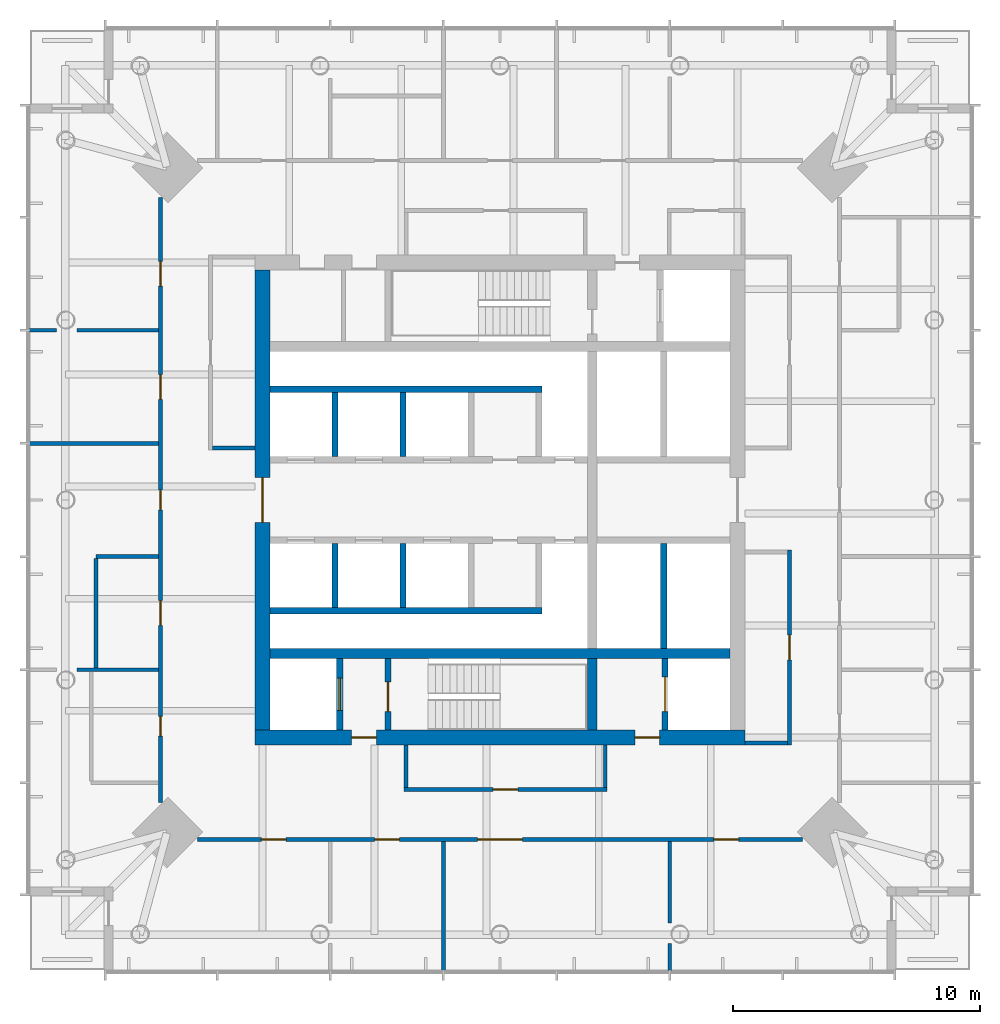
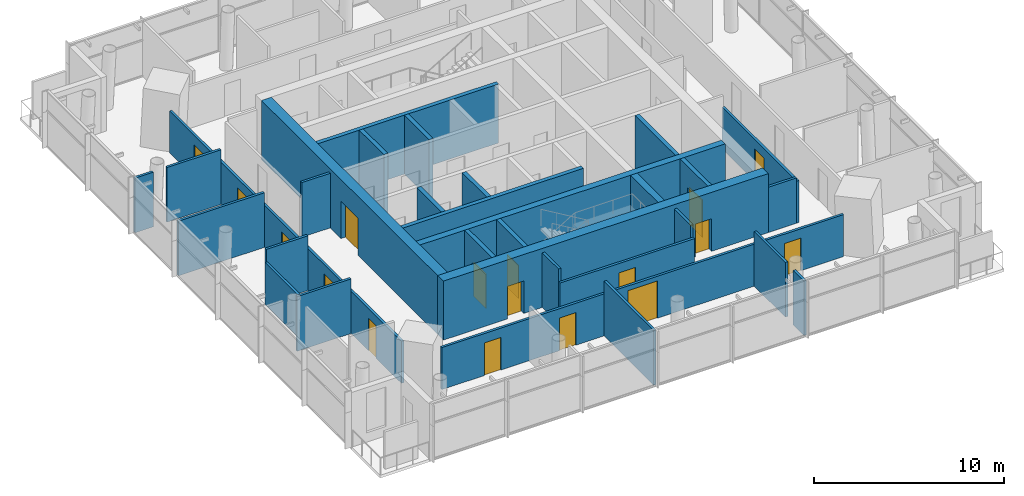
# One storey, part 6 of 10: 31 walls, 17 doors, 17 openings.
"""IFC4 building model written with IfcOpenShell, lengths in metres."""

from ifc_helpers import new_model, si_unit, direction, frame, frame_2d, origin, place, context, subcontext, project, spatial, rectangle, extrude, material, layer, layer_set, type_object, element, fill, save


model = new_model("IFC4")

# Units and contexts
model_context = context("Model", 3, precision=1e-05, world=origin(), true_north=direction((0.0, 1.0)))
body_context = subcontext(model_context, "Body", "Model", "MODEL_VIEW")
ifc_project = project(units=[si_unit("LENGTHUNIT", "METRE"), si_unit("AREAUNIT", "SQUARE_METRE"), si_unit("VOLUMEUNIT", "CUBIC_METRE"), si_unit("PLANEANGLEUNIT", "RADIAN"), si_unit("MASSUNIT", "GRAM", prefix="KILO")], contexts=[model_context])

# Site, building, storey
site_placement = place(None, origin())
site = spatial("IfcSite", under=ifc_project, at=site_placement, CompositionType="ELEMENT")
building_placement = place(site_placement, origin())
building = spatial("IfcBuilding", under=site, at=building_placement, Name="Ostroluk Exchange", CompositionType="ELEMENT")
storey_placement = place(building_placement, frame((0.0, 0.0, 222.39990234375)))
storey = spatial("IfcBuildingStorey", under=building, at=storey_placement, Name="L57", CompositionType="ELEMENT", Elevation=222.39990234375)

# Walls
ifc_material_1 = material(Name="Concrete C50/60", Category="concrete")
ifc_layer_1 = layer(ifc_material_1, 0.39990234375)
ifc_layer_set_1 = layer_set([ifc_layer_1], Name="Core cross wall 400 C50/60")
wall_type_1 = type_object("IfcWallType", Name="Core cross wall 400 C50/60", PredefinedType="SHEAR", material=ifc_layer_set_1)
wall_1_placement = place(storey_placement, frame((35.699951171875, 39.800048828125, 0.0), z_axis=(0.0, 0.0, 1.0), x_axis=(1.0, 0.0, 0.0)))
element("IfcWall", 1, at=wall_1_placement, inside=storey, type_object=wall_type_1, Name="T1 core wall XS", PredefinedType="SHEAR", context=body_context, shape_type="SweptSolid", body=[
    extrude(rectangle(XDim=18.60009765625, YDim=0.39990234375, at=frame_2d((9.300048828125, 0.0))), origin(), (0.0, 0.0, 1.0), 3.800048828125),
])
wall_2_placement = place(storey_placement, frame((48.72998046875, 36.699951171875, 0.0), z_axis=(0.0, 0.0, 1.0), x_axis=(0.0, 1.0, 0.0)))
element("IfcWall", 2, at=wall_2_placement, inside=storey, type_object=wall_type_1, Name="T1 core wall YE1", PredefinedType="SHEAR", context=body_context, shape_type="SweptSolid", body=[
    extrude(rectangle(XDim=2.900146484375, YDim=0.39990234375, at=frame_2d((1.4501953125, 0.0))), origin(), (0.0, 0.0, 1.0), 3.800048828125),
])

# Wall, opening, door
ifc_material_2 = material(Name="Concrete C40/50", Category="concrete")
ifc_layer_2 = layer(ifc_material_2, 0.25)
ifc_layer_set_2 = layer_set([ifc_layer_2], Name="Core shaft wall 250")
wall_type_2 = type_object("IfcWallType", Name="Core shaft wall 250", PredefinedType="SHEAR", material=ifc_layer_set_2)
wall_3_placement = place(storey_placement, frame((38.52490234375, 36.699951171875, 0.0), z_axis=(0.0, 0.0, 1.0), x_axis=(0.0, 1.0, 0.0)))
wall_3 = element("IfcWall", 3, at=wall_3_placement, inside=storey, type_object=wall_type_2, Name="Firefighting lift shaft wall", PredefinedType="SHEAR", context=body_context, shape_type="SweptSolid", body=[
    extrude(rectangle(XDim=2.900146484375, YDim=0.25, at=frame_2d((1.4501953125, 0.0))), origin(), (0.0, 0.0, 1.0), 3.800048828125),
])
opening_1_placement = place(wall_3_placement, frame((0.800048828125, 0.0, 0.0)))
opening_1 = element("IfcOpeningElement", 4, at=opening_1_placement, cuts=wall_3, Name="Opening LD2", PredefinedType="OPENING", context=body_context, shape_type="SweptSolid", body=[
    extrude(rectangle(XDim=1.300048828125, YDim=2.199951171875, at=frame_2d((0.64990234375, 1.10009765625))), frame((0.0, 0.135009765625, 0.0), z_axis=(0.0, -1.0, 0.0), x_axis=(1.0, 0.0, 0.0)), (0.0, 0.0, 1.0), 0.27001953125),
])
ifc_material_3 = material(Name="Stainless steel", Category="steel")
door_type_1 = type_object("IfcDoorType", Name="Lift landing door E 60 1300 x 2200", OperationType="DOUBLE_DOOR_SLIDING", PredefinedType="DOOR", material=ifc_material_3)
door_1_placement = place(opening_1_placement, origin())
door_1 = element("IfcDoor", 5, at=door_1_placement, inside=storey, type_object=door_type_1, Name="Lift FL1 landing door", OperationType="DOUBLE_DOOR_SLIDING", OverallHeight=2.199951171875, OverallWidth=1.300048828125, PredefinedType="DOOR", context=body_context, shape_type="SweptSolid", body=[
    extrude(rectangle(XDim=1.300048828125, YDim=2.199951171875, at=frame_2d((0.64990234375, 1.10009765625))), frame((0.0, 0.02490234375, 0.0), z_axis=(0.0, -1.0, 0.0), x_axis=(1.0, 0.0, 0.0)), (0.0, 0.0, 1.0), 0.050048828125),
])
fill(opening_1, door_1)

wall_4_placement = place(storey_placement, frame((40.47509765625, 36.699951171875, 0.0), z_axis=(0.0, 0.0, 1.0), x_axis=(0.0, 1.0, 0.0)))
wall_4 = element("IfcWall", 6, at=wall_4_placement, inside=storey, type_object=wall_type_2, Name="Stair shaft wall", PredefinedType="SHEAR", context=body_context, shape_type="SweptSolid", body=[
    extrude(rectangle(XDim=2.900146484375, YDim=0.25, at=frame_2d((1.4501953125, 0.0))), origin(), (0.0, 0.0, 1.0), 3.800048828125),
])
opening_2_placement = place(wall_4_placement, frame((0.75, 0.0, 0.0)))
opening_2 = element("IfcOpeningElement", 7, at=opening_2_placement, cuts=wall_4, Name="Opening FD60S", PredefinedType="OPENING", context=body_context, shape_type="SweptSolid", body=[
    extrude(rectangle(XDim=1.199951171875, YDim=2.10009765625, at=frame_2d((0.60009765625, 1.050048828125))), frame((0.0, 0.135009765625, 0.0), z_axis=(0.0, -1.0, 0.0), x_axis=(1.0, 0.0, 0.0)), (0.0, 0.0, 1.0), 0.27001953125),
])
ifc_material_4 = material(Name="Steel", Category="steel")
door_type_2 = type_object("IfcDoorType", Name="Stair door EI 60 1200 x 2100", OperationType="SINGLE_SWING_LEFT", PredefinedType="DOOR", material=ifc_material_4)
door_2_placement = place(opening_2_placement, origin())
door_2 = element("IfcDoor", 8, at=door_2_placement, inside=storey, type_object=door_type_2, Name="Stair T1-S1 door", OperationType="SINGLE_SWING_LEFT", OverallHeight=2.10009765625, OverallWidth=1.199951171875, PredefinedType="DOOR", context=body_context, shape_type="SweptSolid", body=[
    extrude(rectangle(XDim=1.199951171875, YDim=2.10009765625, at=frame_2d((0.60009765625, 1.050048828125))), frame((0.0, 0.02490234375, 0.0), z_axis=(0.0, -1.0, 0.0), x_axis=(1.0, 0.0, 0.0)), (0.0, 0.0, 1.0), 0.050048828125),
])
fill(opening_2, door_2)

wall_5_placement = place(storey_placement, frame((51.675048828125, 36.699951171875, 0.0), z_axis=(0.0, 0.0, 1.0), x_axis=(0.0, 1.0, 0.0)))
wall_5 = element("IfcWall", 9, at=wall_5_placement, inside=storey, type_object=wall_type_2, Name="Service lift shaft wall", PredefinedType="SHEAR", context=body_context, shape_type="SweptSolid", body=[
    extrude(rectangle(XDim=2.900146484375, YDim=0.25, at=frame_2d((1.4501953125, 0.0))), origin(), (0.0, 0.0, 1.0), 3.800048828125),
])
opening_3_placement = place(wall_5_placement, frame((0.75, 0.0, 0.0)))
opening_3 = element("IfcOpeningElement", 10, at=opening_3_placement, cuts=wall_5, Name="Opening LD3", PredefinedType="OPENING", context=body_context, shape_type="SweptSolid", body=[
    extrude(rectangle(XDim=1.39990234375, YDim=2.39990234375, at=frame_2d((0.699951171875, 1.199951171875))), frame((0.0, 0.135009765625, 0.0), z_axis=(0.0, -1.0, 0.0), x_axis=(1.0, 0.0, 0.0)), (0.0, 0.0, 1.0), 0.27001953125),
])
ifc_material_5 = material(Name="Stainless steel", Category="steel")
door_type_3 = type_object("IfcDoorType", Name="Goods lift landing door E 60 1400 x 2400", OperationType="DOUBLE_DOOR_SLIDING", PredefinedType="DOOR", material=ifc_material_5)
door_3_placement = place(opening_3_placement, origin())
door_3 = element("IfcDoor", 11, at=door_3_placement, inside=storey, type_object=door_type_3, Name="Lift SL1 landing door", OperationType="DOUBLE_DOOR_SLIDING", OverallHeight=2.39990234375, OverallWidth=1.39990234375, PredefinedType="DOOR", context=body_context, shape_type="SweptSolid", body=[
    extrude(rectangle(XDim=1.39990234375, YDim=2.39990234375, at=frame_2d((0.699951171875, 1.199951171875))), frame((0.0, 0.02490234375, 0.0), z_axis=(0.0, -1.0, 0.0), x_axis=(1.0, 0.0, 0.0)), (0.0, 0.0, 1.0), 0.050048828125),
])
fill(opening_3, door_3)

# Walls
for number, where, z_axis, x_axis, name in (
    (12, (38.324951171875, 47.75, 0.0), (0.0, 0.0, 1.0), (0.0, 1.0, 0.0), "Lift shaft wall"),
    (13, (41.074951171875, 47.75, 0.0), (0.0, 0.0, 1.0), (0.0, 1.0, 0.0), "Lift shaft wall"),
):
    element("IfcWall", number, at=place(storey_placement, frame(where, z_axis=z_axis, x_axis=x_axis)), inside=storey, type_object=wall_type_2, Name=name, PredefinedType="SHEAR", context=body_context, shape_type="SweptSolid", body=[
        extrude(rectangle(XDim=2.60009765625, YDim=0.25, at=frame_2d((1.300048828125, 0.0))), origin(), (0.0, 0.0, 1.0), 3.800048828125),
    ])
wall_6_placement = place(storey_placement, frame((35.699951171875, 50.47509765625, 0.0), z_axis=(0.0, 0.0, 1.0), x_axis=(1.0, 0.0, 0.0)))
element("IfcWall", 14, at=wall_6_placement, inside=storey, type_object=wall_type_2, Name="Lift shaft wall", PredefinedType="SHEAR", context=body_context, shape_type="SweptSolid", body=[
    extrude(rectangle(XDim=11.0, YDim=0.25, at=frame_2d((5.5, 0.0))), origin(), (0.0, 0.0, 1.0), 3.800048828125),
])
for number, where, z_axis, x_axis, name in (
    (15, (38.324951171875, 44.25, 0.0), (0.0, 0.0, 1.0), (0.0, -1.0, 0.0), "Lift shaft wall"),
    (16, (41.074951171875, 44.25, 0.0), (0.0, 0.0, 1.0), (0.0, -1.0, 0.0), "Lift shaft wall"),
):
    element("IfcWall", number, at=place(storey_placement, frame(where, z_axis=z_axis, x_axis=x_axis)), inside=storey, type_object=wall_type_2, Name=name, PredefinedType="SHEAR", context=body_context, shape_type="SweptSolid", body=[
        extrude(rectangle(XDim=2.60009765625, YDim=0.25, at=frame_2d((1.300048828125, 0.0))), origin(), (0.0, 0.0, 1.0), 3.800048828125),
    ])
wall_7_placement = place(storey_placement, frame((35.699951171875, 41.52490234375, 0.0), z_axis=(0.0, 0.0, 1.0), x_axis=(1.0, 0.0, 0.0)))
element("IfcWall", 17, at=wall_7_placement, inside=storey, type_object=wall_type_2, Name="Lift shaft wall", PredefinedType="SHEAR", context=body_context, shape_type="SweptSolid", body=[
    extrude(rectangle(XDim=11.0, YDim=0.25, at=frame_2d((5.5, 0.0))), origin(), (0.0, 0.0, 1.0), 3.800048828125),
])
wall_8_placement = place(storey_placement, frame((51.614990234375, 44.25, 0.0), z_axis=(0.0, 0.0, 1.0), x_axis=(0.0, -1.0, 0.0)))
element("IfcWall", 18, at=wall_8_placement, inside=storey, type_object=wall_type_2, Name="Lift shaft wall", PredefinedType="SHEAR", context=body_context, shape_type="SweptSolid", body=[
    extrude(rectangle(XDim=4.25, YDim=0.25, at=frame_2d((2.125, 0.0))), origin(), (0.0, 0.0, 1.0), 3.800048828125),
])

# Wall, openings, doors
ifc_material_6 = material(Name="Concrete C50/60", Category="concrete")
ifc_layer_3 = layer(ifc_material_6, 0.60009765625)
ifc_layer_set_3 = layer_set([ifc_layer_3], Name="Core wall 600 C50/60")
wall_type_3 = type_object("IfcWallType", Name="Core wall 600 C50/60", PredefinedType="SHEAR", material=ifc_layer_set_3)
wall_9_placement = place(storey_placement, frame((35.10009765625, 36.39990234375, 0.0), z_axis=(0.0, 0.0, 1.0), x_axis=(1.0, 0.0, 0.0)))
wall_9 = element("IfcWall", 19, at=wall_9_placement, inside=storey, type_object=wall_type_3, Name="T1 core wall S", PredefinedType="SHEAR", context=body_context, shape_type="SweptSolid", body=[
    extrude(rectangle(XDim=19.7998046875, YDim=0.60009765625, at=frame_2d((9.89990234375, 0.0))), origin(), (0.0, 0.0, 1.0), 3.800048828125),
])
opening_4_placement = place(wall_9_placement, frame((3.89990234375, 0.0, 0.0)))
opening_4 = element("IfcOpeningElement", 20, at=opening_4_placement, cuts=wall_9, Name="Opening FD60", PredefinedType="OPENING", context=body_context, shape_type="SweptSolid", body=[
    extrude(rectangle(XDim=1.0, YDim=2.10009765625, at=frame_2d((0.5, 1.050048828125))), frame((0.0, 0.31005859375, 0.0), z_axis=(0.0, -1.0, 0.0), x_axis=(1.0, 0.0, 0.0)), (0.0, 0.0, 1.0), 0.6201171875),
])
opening_5_placement = place(wall_9_placement, frame((15.35009765625, 0.0, 0.0)))
opening_5 = element("IfcOpeningElement", 21, at=opening_5_placement, cuts=wall_9, Name="Opening FD60", PredefinedType="OPENING", context=body_context, shape_type="SweptSolid", body=[
    extrude(rectangle(XDim=1.0, YDim=2.10009765625, at=frame_2d((0.5, 1.050048828125))), frame((0.0, 0.31005859375, 0.0), z_axis=(0.0, -1.0, 0.0), x_axis=(1.0, 0.0, 0.0)), (0.0, 0.0, 1.0), 0.6201171875),
])
ifc_material_7 = material(Name="Steel", Category="steel")
door_type_4 = type_object("IfcDoorType", Name="Fire door EI 60 1000 x 2100", OperationType="SINGLE_SWING_LEFT", PredefinedType="DOOR", material=ifc_material_7)
door_4_placement = place(opening_4_placement, origin())
door_4 = element("IfcDoor", 22, at=door_4_placement, inside=storey, type_object=door_type_4, Name="Firefighting lobby door", OperationType="SINGLE_SWING_LEFT", OverallHeight=2.10009765625, OverallWidth=1.0, PredefinedType="DOOR", context=body_context, shape_type="SweptSolid", body=[
    extrude(rectangle(XDim=1.0, YDim=2.10009765625, at=frame_2d((0.5, 1.050048828125))), frame((0.0, 0.02490234375, 0.0), z_axis=(0.0, -1.0, 0.0), x_axis=(1.0, 0.0, 0.0)), (0.0, 0.0, 1.0), 0.050048828125),
])
fill(opening_4, door_4)
door_5_placement = place(opening_5_placement, origin())
door_5 = element("IfcDoor", 23, at=door_5_placement, inside=storey, type_object=door_type_4, Name="Service lobby door", OperationType="SINGLE_SWING_RIGHT", OverallHeight=2.10009765625, OverallWidth=1.0, PredefinedType="DOOR", context=body_context, shape_type="SweptSolid", body=[
    extrude(rectangle(XDim=1.0, YDim=2.10009765625, at=frame_2d((0.5, 1.050048828125))), frame((0.0, 0.02490234375, 0.0), z_axis=(0.0, -1.0, 0.0), x_axis=(1.0, 0.0, 0.0)), (0.0, 0.0, 1.0), 0.050048828125),
])
fill(opening_5, door_5)

# Wall, opening, door
wall_10_placement = place(storey_placement, frame((35.39990234375, 36.699951171875, 0.0), z_axis=(0.0, 0.0, 1.0), x_axis=(0.0, 1.0, 0.0)))
wall_10 = element("IfcWall", 24, at=wall_10_placement, inside=storey, type_object=wall_type_3, Name="T1 core wall W", PredefinedType="SHEAR", context=body_context, shape_type="SweptSolid", body=[
    extrude(rectangle(XDim=18.60009765625, YDim=0.60009765625, at=frame_2d((9.300048828125, 0.0))), origin(), (0.0, 0.0, 1.0), 3.800048828125),
])
opening_6_placement = place(wall_10_placement, frame((8.39990234375, 0.0, 0.0)))
opening_6 = element("IfcOpeningElement", 25, at=opening_6_placement, cuts=wall_10, Name="Opening FD30D", PredefinedType="OPENING", context=body_context, shape_type="SweptSolid", body=[
    extrude(rectangle(XDim=1.800048828125, YDim=2.39990234375, at=frame_2d((0.89990234375, 1.199951171875))), frame((0.0, 0.31005859375, 0.0), z_axis=(0.0, -1.0, 0.0), x_axis=(1.0, 0.0, 0.0)), (0.0, 0.0, 1.0), 0.6201171875),
])
ifc_material_8 = material(Name="Timber", Category="wood")
door_type_5 = type_object("IfcDoorType", Name="Lobby double door EI 30 1800 x 2400", OperationType="DOUBLE_DOOR_SINGLE_SWING", PredefinedType="DOOR", material=ifc_material_8)
door_6_placement = place(opening_6_placement, origin())
door_6 = element("IfcDoor", 26, at=door_6_placement, inside=storey, type_object=door_type_5, Name="Lift lobby doors", OperationType="DOUBLE_DOOR_SINGLE_SWING", OverallHeight=2.39990234375, OverallWidth=1.800048828125, PredefinedType="DOOR", context=body_context, shape_type="SweptSolid", body=[
    extrude(rectangle(XDim=1.800048828125, YDim=2.39990234375, at=frame_2d((0.89990234375, 1.199951171875))), frame((0.0, 0.02490234375, 0.0), z_axis=(0.0, -1.0, 0.0), x_axis=(1.0, 0.0, 0.0)), (0.0, 0.0, 1.0), 0.050048828125),
])
fill(opening_6, door_6)

ifc_material_9 = material(Name="Gypsum plasterboard partition", Category="gypsum")
ifc_layer_4 = layer(ifc_material_9, 0.14990234375)
ifc_layer_set_4 = layer_set([ifc_layer_4], Name="Plasterboard partition 150")
wall_type_4 = type_object("IfcWallType", Name="Plasterboard partition 150", PredefinedType="PARTITIONING", material=ifc_layer_set_4)
wall_11_placement = place(storey_placement, frame((56.699951171875, 36.10009765625, 0.0), z_axis=(0.0, 0.0, 1.0), x_axis=(0.0, 1.0, 0.0)))
wall_11 = element("IfcWall", 27, at=wall_11_placement, inside=storey, type_object=wall_type_4, Name="Partition", PredefinedType="PARTITIONING", context=body_context, shape_type="SweptSolid", body=[
    extrude(rectangle(XDim=7.875, YDim=0.14990234375, at=frame_2d((3.9375, 0.0))), origin(), (0.0, 0.0, 1.0), 2.7060546875),
])
opening_7_placement = place(wall_11_placement, frame((3.4375, 0.0, 0.0)))
opening_7 = element("IfcOpeningElement", 28, at=opening_7_placement, cuts=wall_11, Name="Opening D-03", PredefinedType="OPENING", context=body_context, shape_type="SweptSolid", body=[
    extrude(rectangle(XDim=1.0, YDim=2.10009765625, at=frame_2d((0.5, 1.050048828125))), frame((0.0, 0.0849609375, 0.0), z_axis=(0.0, -1.0, 0.0), x_axis=(1.0, 0.0, 0.0)), (0.0, 0.0, 1.0), 0.169921875),
])
ifc_material_10 = material(Name="Timber", Category="wood")
door_type_6 = type_object("IfcDoorType", Name="Internal door 1000 x 2100", OperationType="SINGLE_SWING_LEFT", PredefinedType="DOOR", material=ifc_material_10)
door_7_placement = place(opening_7_placement, origin())
door_7 = element("IfcDoor", 29, at=door_7_placement, inside=storey, type_object=door_type_6, Name="Quiet room door", OperationType="SINGLE_SWING_LEFT", OverallHeight=2.10009765625, OverallWidth=1.0, PredefinedType="DOOR", context=body_context, shape_type="SweptSolid", body=[
    extrude(rectangle(XDim=1.0, YDim=2.10009765625, at=frame_2d((0.5, 1.050048828125))), frame((0.0, 0.02490234375, 0.0), z_axis=(0.0, -1.0, 0.0), x_axis=(1.0, 0.0, 0.0)), (0.0, 0.0, 1.0), 0.050048828125),
])
fill(opening_7, door_7)

# Walls
wall_12_placement = place(storey_placement, frame((54.89990234375, 36.175048828125, 0.0), z_axis=(0.0, 0.0, 1.0), x_axis=(1.0, 0.0, 0.0)))
element("IfcWall", 30, at=wall_12_placement, inside=storey, type_object=wall_type_4, Name="Partition", PredefinedType="PARTITIONING", context=body_context, shape_type="SweptSolid", body=[
    extrude(rectangle(XDim=1.72509765625, YDim=0.14990234375, at=frame_2d((0.862548828125, 0.0))), origin(), (0.0, 0.0, 1.0), 2.920166015625),
])
wall_13_placement = place(storey_placement, frame((35.10009765625, 48.10009765625, 0.0), z_axis=(0.0, 0.0, 1.0), x_axis=(-1.0, 0.0, 0.0)))
element("IfcWall", 31, at=wall_13_placement, inside=storey, type_object=wall_type_4, Name="Partition", PredefinedType="PARTITIONING", context=body_context, shape_type="SweptSolid", body=[
    extrude(rectangle(XDim=1.72509765625, YDim=0.14990234375, at=frame_2d((0.862548828125, 0.0))), origin(), (0.0, 0.0, 1.0), 3.52001953125),
])

# Wall, opening, door
wall_14_placement = place(storey_placement, frame((41.125, 34.300048828125, 0.0), z_axis=(0.0, 0.0, 1.0), x_axis=(1.0, 0.0, 0.0)))
wall_14 = element("IfcWall", 32, at=wall_14_placement, inside=storey, type_object=wall_type_4, Name="Partition", PredefinedType="PARTITIONING", context=body_context, shape_type="SweptSolid", body=[
    extrude(rectangle(XDim=8.199951171875, YDim=0.14990234375, at=frame_2d((4.10009765625, 0.0))), origin(), (0.0, 0.0, 1.0), 2.7060546875),
])
opening_8_placement = place(wall_14_placement, frame((3.60009765625, 0.0, 0.0)))
opening_8 = element("IfcOpeningElement", 33, at=opening_8_placement, cuts=wall_14, Name="Opening D-03", PredefinedType="OPENING", context=body_context, shape_type="SweptSolid", body=[
    extrude(rectangle(XDim=1.0, YDim=2.10009765625, at=frame_2d((0.5, 1.050048828125))), frame((0.0, 0.0849609375, 0.0), z_axis=(0.0, -1.0, 0.0), x_axis=(1.0, 0.0, 0.0)), (0.0, 0.0, 1.0), 0.169921875),
])
door_8_placement = place(opening_8_placement, origin())
door_8 = element("IfcDoor", 34, at=door_8_placement, inside=storey, type_object=door_type_6, Name="Quiet room door", OperationType="SINGLE_SWING_LEFT", OverallHeight=2.10009765625, OverallWidth=1.0, PredefinedType="DOOR", context=body_context, shape_type="SweptSolid", body=[
    extrude(rectangle(XDim=1.0, YDim=2.10009765625, at=frame_2d((0.5, 1.050048828125))), frame((0.0, 0.02490234375, 0.0), z_axis=(0.0, -1.0, 0.0), x_axis=(1.0, 0.0, 0.0)), (0.0, 0.0, 1.0), 0.050048828125),
])
fill(opening_8, door_8)

# Walls
for number, where, z_axis, x_axis, name in (
    (35, (41.199951171875, 36.10009765625, 0.0), (0.0, 0.0, 1.0), (0.0, -1.0, 0.0), "Partition"),
    (36, (49.25, 36.10009765625, 0.0), (0.0, 0.0, 1.0), (0.0, -1.0, 0.0), "Partition"),
):
    element("IfcWall", number, at=place(storey_placement, frame(where, z_axis=z_axis, x_axis=x_axis)), inside=storey, type_object=wall_type_4, Name=name, PredefinedType="PARTITIONING", context=body_context, shape_type="SweptSolid", body=[
        extrude(rectangle(XDim=1.72509765625, YDim=0.14990234375, at=frame_2d((0.862548828125, 0.0))), origin(), (0.0, 0.0, 1.0), 3.52001953125),
    ])

# Wall, openings, doors
wall_15_placement = place(storey_placement, frame((31.27490234375, 58.23583984375, 0.0), z_axis=(0.0, 0.0, 1.0), x_axis=(0.0, -1.0, 0.0)))
wall_15 = element("IfcWall", 37, at=wall_15_placement, inside=storey, type_object=wall_type_4, Name="Partition", PredefinedType="PARTITIONING", context=body_context, shape_type="SweptSolid", body=[
    extrude(rectangle(XDim=24.4716796875, YDim=0.14990234375, at=frame_2d((12.23583984375, 0.0))), origin(), (0.0, 0.0, 1.0), 2.7060546875),
])
opening_9_placement = place(wall_15_placement, frame((2.593017578125, 0.0, 0.0)))
opening_9 = element("IfcOpeningElement", 38, at=opening_9_placement, cuts=wall_15, Name="Opening D-03", PredefinedType="OPENING", context=body_context, shape_type="SweptSolid", body=[
    extrude(rectangle(XDim=1.0, YDim=2.10009765625, at=frame_2d((0.5, 1.050048828125))), frame((0.0, 0.0849609375, 0.0), z_axis=(0.0, -1.0, 0.0), x_axis=(1.0, 0.0, 0.0)), (0.0, 0.0, 1.0), 0.169921875),
])
opening_10_placement = place(wall_15_placement, frame((7.164306640625, 0.0, 0.0)))
opening_10 = element("IfcOpeningElement", 39, at=opening_10_placement, cuts=wall_15, Name="Opening D-03", PredefinedType="OPENING", context=body_context, shape_type="SweptSolid", body=[
    extrude(rectangle(XDim=1.0, YDim=2.10009765625, at=frame_2d((0.5, 1.050048828125))), frame((0.0, 0.0849609375, 0.0), z_axis=(0.0, -1.0, 0.0), x_axis=(1.0, 0.0, 0.0)), (0.0, 0.0, 1.0), 0.169921875),
])
opening_11_placement = place(wall_15_placement, frame((11.835693359375, 0.0, 0.0)))
opening_11 = element("IfcOpeningElement", 40, at=opening_11_placement, cuts=wall_15, Name="Opening D-06", PredefinedType="OPENING", context=body_context, shape_type="SweptSolid", body=[
    extrude(rectangle(XDim=0.800048828125, YDim=2.10009765625, at=frame_2d((0.39990234375, 1.050048828125))), frame((0.0, 0.0849609375, 0.0), z_axis=(0.0, -1.0, 0.0), x_axis=(1.0, 0.0, 0.0)), (0.0, 0.0, 1.0), 0.169921875),
])
opening_12_placement = place(wall_15_placement, frame((16.30712890625, 0.0, 0.0)))
opening_12 = element("IfcOpeningElement", 41, at=opening_12_placement, cuts=wall_15, Name="Opening D-03", PredefinedType="OPENING", context=body_context, shape_type="SweptSolid", body=[
    extrude(rectangle(XDim=1.0, YDim=2.10009765625, at=frame_2d((0.5, 1.050048828125))), frame((0.0, 0.0849609375, 0.0), z_axis=(0.0, -1.0, 0.0), x_axis=(1.0, 0.0, 0.0)), (0.0, 0.0, 1.0), 0.169921875),
])
opening_13_placement = place(wall_15_placement, frame((20.978759765625, 0.0, 0.0)))
opening_13 = element("IfcOpeningElement", 42, at=opening_13_placement, cuts=wall_15, Name="Opening D-06", PredefinedType="OPENING", context=body_context, shape_type="SweptSolid", body=[
    extrude(rectangle(XDim=0.800048828125, YDim=2.10009765625, at=frame_2d((0.39990234375, 1.050048828125))), frame((0.0, 0.0849609375, 0.0), z_axis=(0.0, -1.0, 0.0), x_axis=(1.0, 0.0, 0.0)), (0.0, 0.0, 1.0), 0.169921875),
])
door_9_placement = place(opening_9_placement, origin())
door_9 = element("IfcDoor", 43, at=door_9_placement, inside=storey, type_object=door_type_6, Name="Office suite door", OperationType="SINGLE_SWING_LEFT", OverallHeight=2.10009765625, OverallWidth=1.0, PredefinedType="DOOR", context=body_context, shape_type="SweptSolid", body=[
    extrude(rectangle(XDim=1.0, YDim=2.10009765625, at=frame_2d((0.5, 1.050048828125))), frame((0.0, 0.02490234375, 0.0), z_axis=(0.0, -1.0, 0.0), x_axis=(1.0, 0.0, 0.0)), (0.0, 0.0, 1.0), 0.050048828125),
])
fill(opening_9, door_9)
door_10_placement = place(opening_10_placement, origin())
door_10 = element("IfcDoor", 44, at=door_10_placement, inside=storey, type_object=door_type_6, Name="Meeting room door", OperationType="SINGLE_SWING_LEFT", OverallHeight=2.10009765625, OverallWidth=1.0, PredefinedType="DOOR", context=body_context, shape_type="SweptSolid", body=[
    extrude(rectangle(XDim=1.0, YDim=2.10009765625, at=frame_2d((0.5, 1.050048828125))), frame((0.0, 0.02490234375, 0.0), z_axis=(0.0, -1.0, 0.0), x_axis=(1.0, 0.0, 0.0)), (0.0, 0.0, 1.0), 0.050048828125),
])
fill(opening_10, door_10)
door_11_placement = place(opening_12_placement, origin())
door_11 = element("IfcDoor", 45, at=door_11_placement, inside=storey, type_object=door_type_6, Name="Accessible WC door", OperationType="SINGLE_SWING_RIGHT", OverallHeight=2.10009765625, OverallWidth=1.0, PredefinedType="DOOR", context=body_context, shape_type="SweptSolid", body=[
    extrude(rectangle(XDim=1.0, YDim=2.10009765625, at=frame_2d((0.5, 1.050048828125))), frame((0.0, 0.02490234375, 0.0), z_axis=(0.0, -1.0, 0.0), x_axis=(1.0, 0.0, 0.0)), (0.0, 0.0, 1.0), 0.050048828125),
])
fill(opening_12, door_11)
ifc_material_11 = material(Name="Timber", Category="wood")
door_type_7 = type_object("IfcDoorType", Name="Toilet door 800 x 2100", OperationType="SINGLE_SWING_LEFT", PredefinedType="DOOR", material=ifc_material_11)
door_12_placement = place(opening_11_placement, origin())
door_12 = element("IfcDoor", 46, at=door_12_placement, inside=storey, type_object=door_type_7, Name="WC female door", OperationType="SINGLE_SWING_LEFT", OverallHeight=2.10009765625, OverallWidth=0.800048828125, PredefinedType="DOOR", context=body_context, shape_type="SweptSolid", body=[
    extrude(rectangle(XDim=0.800048828125, YDim=2.10009765625, at=frame_2d((0.39990234375, 1.050048828125))), frame((0.0, 0.02490234375, 0.0), z_axis=(0.0, -1.0, 0.0), x_axis=(1.0, 0.0, 0.0)), (0.0, 0.0, 1.0), 0.050048828125),
])
fill(opening_11, door_12)
door_13_placement = place(opening_13_placement, origin())
door_13 = element("IfcDoor", 47, at=door_13_placement, inside=storey, type_object=door_type_7, Name="WC male door", OperationType="SINGLE_SWING_RIGHT", OverallHeight=2.10009765625, OverallWidth=0.800048828125, PredefinedType="DOOR", context=body_context, shape_type="SweptSolid", body=[
    extrude(rectangle(XDim=0.800048828125, YDim=2.10009765625, at=frame_2d((0.39990234375, 1.050048828125))), frame((0.0, 0.02490234375, 0.0), z_axis=(0.0, -1.0, 0.0), x_axis=(1.0, 0.0, 0.0)), (0.0, 0.0, 1.0), 0.050048828125),
])
fill(opening_13, door_13)

# Walls
wall_16_placement = place(storey_placement, frame((31.199951171875, 52.857177734375, 0.0), z_axis=(0.0, 0.0, 1.0), x_axis=(-1.0, 0.0, 0.0)))
element("IfcWall", 48, at=wall_16_placement, inside=storey, type_object=wall_type_4, Name="Partition", PredefinedType="PARTITIONING", context=body_context, shape_type="SweptSolid", body=[
    extrude(rectangle(XDim=3.287353515625, YDim=0.14990234375, at=frame_2d((1.6435546875, 0.0))), origin(), (0.0, 0.0, 1.0), 3.52001953125),
])
wall_17_placement = place(storey_placement, frame((27.080322265625, 52.857177734375, 0.0), z_axis=(0.0, 0.0, 1.0), x_axis=(-1.0, 0.0, 0.0)))
element("IfcWall", 49, at=wall_17_placement, inside=storey, type_object=wall_type_4, Name="Partition", PredefinedType="PARTITIONING", context=body_context, shape_type="SweptSolid", body=[
    extrude(rectangle(XDim=1.120361328125, YDim=0.14990234375, at=frame_2d((0.56005859375, 0.0))), origin(), (0.0, 0.0, 1.0), 3.52001953125),
])
wall_18_placement = place(storey_placement, frame((31.199951171875, 48.28564453125, 0.0), z_axis=(0.0, 0.0, 1.0), x_axis=(-1.0, 0.0, 0.0)))
element("IfcWall", 50, at=wall_18_placement, inside=storey, type_object=wall_type_4, Name="Partition", PredefinedType="PARTITIONING", context=body_context, shape_type="SweptSolid", body=[
    extrude(rectangle(XDim=5.239990234375, YDim=0.14990234375, at=frame_2d((2.6201171875, 0.0))), origin(), (0.0, 0.0, 1.0), 3.52001953125),
])
wall_19_placement = place(storey_placement, frame((31.199951171875, 43.71435546875, 0.0), z_axis=(0.0, 0.0, 1.0), x_axis=(-1.0, 0.0, 0.0)))
element("IfcWall", 51, at=wall_19_placement, inside=storey, type_object=wall_type_4, Name="Partition", PredefinedType="PARTITIONING", context=body_context, shape_type="SweptSolid", body=[
    extrude(rectangle(XDim=2.52490234375, YDim=0.14990234375, at=frame_2d((1.262451171875, 0.0))), origin(), (0.0, 0.0, 1.0), 3.52001953125),
])
wall_20_placement = place(storey_placement, frame((31.199951171875, 39.142822265625, 0.0), z_axis=(0.0, 0.0, 1.0), x_axis=(-1.0, 0.0, 0.0)))
element("IfcWall", 52, at=wall_20_placement, inside=storey, type_object=wall_type_4, Name="Partition", PredefinedType="PARTITIONING", context=body_context, shape_type="SweptSolid", body=[
    extrude(rectangle(XDim=3.287353515625, YDim=0.14990234375, at=frame_2d((1.6435546875, 0.0))), origin(), (0.0, 0.0, 1.0), 3.52001953125),
])

# Wall, openings, doors
wall_21_placement = place(storey_placement, frame((32.76416015625, 32.27490234375, 0.0), z_axis=(0.0, 0.0, 1.0), x_axis=(1.0, 0.0, 0.0)))
wall_21 = element("IfcWall", 53, at=wall_21_placement, inside=storey, type_object=wall_type_4, Name="Partition", PredefinedType="PARTITIONING", context=body_context, shape_type="SweptSolid", body=[
    extrude(rectangle(XDim=24.4716796875, YDim=0.14990234375, at=frame_2d((12.23583984375, 0.0))), origin(), (0.0, 0.0, 1.0), 2.7060546875),
])
opening_14_placement = place(wall_21_placement, frame((2.593017578125, 0.0, 0.0)))
opening_14 = element("IfcOpeningElement", 54, at=opening_14_placement, cuts=wall_21, Name="Opening D-03", PredefinedType="OPENING", context=body_context, shape_type="SweptSolid", body=[
    extrude(rectangle(XDim=1.0, YDim=2.10009765625, at=frame_2d((0.5, 1.050048828125))), frame((0.0, 0.0849609375, 0.0), z_axis=(0.0, -1.0, 0.0), x_axis=(1.0, 0.0, 0.0)), (0.0, 0.0, 1.0), 0.169921875),
])
opening_15_placement = place(wall_21_placement, frame((7.164306640625, 0.0, 0.0)))
opening_15 = element("IfcOpeningElement", 55, at=opening_15_placement, cuts=wall_21, Name="Opening D-03", PredefinedType="OPENING", context=body_context, shape_type="SweptSolid", body=[
    extrude(rectangle(XDim=1.0, YDim=2.10009765625, at=frame_2d((0.5, 1.050048828125))), frame((0.0, 0.0849609375, 0.0), z_axis=(0.0, -1.0, 0.0), x_axis=(1.0, 0.0, 0.0)), (0.0, 0.0, 1.0), 0.169921875),
])
opening_16_placement = place(wall_21_placement, frame((11.335693359375, 0.0, 0.0)))
opening_16 = element("IfcOpeningElement", 56, at=opening_16_placement, cuts=wall_21, Name="Opening D-04", PredefinedType="OPENING", context=body_context, shape_type="SweptSolid", body=[
    extrude(rectangle(XDim=1.800048828125, YDim=2.39990234375, at=frame_2d((0.89990234375, 1.199951171875))), frame((0.0, 0.0849609375, 0.0), z_axis=(0.0, -1.0, 0.0), x_axis=(1.0, 0.0, 0.0)), (0.0, 0.0, 1.0), 0.169921875),
])
opening_17_placement = place(wall_21_placement, frame((20.878662109375, 0.0, 0.0)))
opening_17 = element("IfcOpeningElement", 57, at=opening_17_placement, cuts=wall_21, Name="Opening D-03", PredefinedType="OPENING", context=body_context, shape_type="SweptSolid", body=[
    extrude(rectangle(XDim=1.0, YDim=2.10009765625, at=frame_2d((0.5, 1.050048828125))), frame((0.0, 0.0849609375, 0.0), z_axis=(0.0, -1.0, 0.0), x_axis=(1.0, 0.0, 0.0)), (0.0, 0.0, 1.0), 0.169921875),
])
ifc_material_12 = material(Name="Timber", Category="wood")
door_type_8 = type_object("IfcDoorType", Name="Double door 1800 x 2400", OperationType="DOUBLE_DOOR_SINGLE_SWING", PredefinedType="DOOR", material=ifc_material_12)
door_14_placement = place(opening_16_placement, origin())
door_14 = element("IfcDoor", 58, at=door_14_placement, inside=storey, type_object=door_type_8, Name="Boardroom door", OperationType="DOUBLE_DOOR_SINGLE_SWING", OverallHeight=2.39990234375, OverallWidth=1.800048828125, PredefinedType="DOOR", context=body_context, shape_type="SweptSolid", body=[
    extrude(rectangle(XDim=1.800048828125, YDim=2.39990234375, at=frame_2d((0.89990234375, 1.199951171875))), frame((0.0, 0.02490234375, 0.0), z_axis=(0.0, -1.0, 0.0), x_axis=(1.0, 0.0, 0.0)), (0.0, 0.0, 1.0), 0.050048828125),
])
fill(opening_16, door_14)
door_15_placement = place(opening_14_placement, origin())
door_15 = element("IfcDoor", 59, at=door_15_placement, inside=storey, type_object=door_type_6, Name="Office suite door", OperationType="SINGLE_SWING_LEFT", OverallHeight=2.10009765625, OverallWidth=1.0, PredefinedType="DOOR", context=body_context, shape_type="SweptSolid", body=[
    extrude(rectangle(XDim=1.0, YDim=2.10009765625, at=frame_2d((0.5, 1.050048828125))), frame((0.0, 0.02490234375, 0.0), z_axis=(0.0, -1.0, 0.0), x_axis=(1.0, 0.0, 0.0)), (0.0, 0.0, 1.0), 0.050048828125),
])
fill(opening_14, door_15)
door_16_placement = place(opening_15_placement, origin())
door_16 = element("IfcDoor", 60, at=door_16_placement, inside=storey, type_object=door_type_6, Name="Office door", OperationType="SINGLE_SWING_LEFT", OverallHeight=2.10009765625, OverallWidth=1.0, PredefinedType="DOOR", context=body_context, shape_type="SweptSolid", body=[
    extrude(rectangle(XDim=1.0, YDim=2.10009765625, at=frame_2d((0.5, 1.050048828125))), frame((0.0, 0.02490234375, 0.0), z_axis=(0.0, -1.0, 0.0), x_axis=(1.0, 0.0, 0.0)), (0.0, 0.0, 1.0), 0.050048828125),
])
fill(opening_15, door_16)
door_17_placement = place(opening_17_placement, origin())
door_17 = element("IfcDoor", 61, at=door_17_placement, inside=storey, type_object=door_type_6, Name="Office door", OperationType="SINGLE_SWING_RIGHT", OverallHeight=2.10009765625, OverallWidth=1.0, PredefinedType="DOOR", context=body_context, shape_type="SweptSolid", body=[
    extrude(rectangle(XDim=1.0, YDim=2.10009765625, at=frame_2d((0.5, 1.050048828125))), frame((0.0, 0.02490234375, 0.0), z_axis=(0.0, -1.0, 0.0), x_axis=(1.0, 0.0, 0.0)), (0.0, 0.0, 1.0), 0.050048828125),
])
fill(opening_17, door_17)

# Walls
wall_22_placement = place(storey_placement, frame((42.71435546875, 32.199951171875, 0.0), z_axis=(0.0, 0.0, 1.0), x_axis=(0.0, -1.0, 0.0)))
element("IfcWall", 62, at=wall_22_placement, inside=storey, type_object=wall_type_4, Name="Partition", PredefinedType="PARTITIONING", context=body_context, shape_type="SweptSolid", body=[
    extrude(rectangle(XDim=5.239990234375, YDim=0.14990234375, at=frame_2d((2.6201171875, 0.0))), origin(), (0.0, 0.0, 1.0), 3.52001953125),
])
wall_23_placement = place(storey_placement, frame((51.857177734375, 32.199951171875, 0.0), z_axis=(0.0, 0.0, 1.0), x_axis=(0.0, -1.0, 0.0)))
element("IfcWall", 63, at=wall_23_placement, inside=storey, type_object=wall_type_4, Name="Partition", PredefinedType="PARTITIONING", context=body_context, shape_type="SweptSolid", body=[
    extrude(rectangle(XDim=3.287353515625, YDim=0.14990234375, at=frame_2d((1.6435546875, 0.0))), origin(), (0.0, 0.0, 1.0), 3.52001953125),
])
wall_24_placement = place(storey_placement, frame((51.857177734375, 28.080322265625, 0.0), z_axis=(0.0, 0.0, 1.0), x_axis=(0.0, -1.0, 0.0)))
element("IfcWall", 64, at=wall_24_placement, inside=storey, type_object=wall_type_4, Name="Partition", PredefinedType="PARTITIONING", context=body_context, shape_type="SweptSolid", body=[
    extrude(rectangle(XDim=1.120361328125, YDim=0.14990234375, at=frame_2d((0.56005859375, 0.0))), origin(), (0.0, 0.0, 1.0), 3.52001953125),
])
ifc_material_13 = material(Name="Gypsum plasterboard partition, moisture resistant", Category="gypsum")
ifc_layer_5 = layer(ifc_material_13, 0.14990234375)
ifc_layer_set_5 = layer_set([ifc_layer_5], Name="Plasterboard toilet partition 150")
wall_type_5 = type_object("IfcWallType", Name="Plasterboard toilet partition 150", PredefinedType="PARTITIONING", material=ifc_layer_set_5)
wall_25_placement = place(storey_placement, frame((28.675048828125, 43.639404296875, 0.0), z_axis=(0.0, 0.0, 1.0), x_axis=(0.0, -1.0, 0.0)))
element("IfcWall", 65, at=wall_25_placement, inside=storey, type_object=wall_type_5, Name="Toilet partition", PredefinedType="PARTITIONING", context=body_context, shape_type="SweptSolid", body=[
    extrude(rectangle(XDim=4.421630859375, YDim=0.14990234375, at=frame_2d((2.2109375, 0.0))), origin(), (0.0, 0.0, 1.0), 2.7060546875),
])

save(model, "model.ifc")
